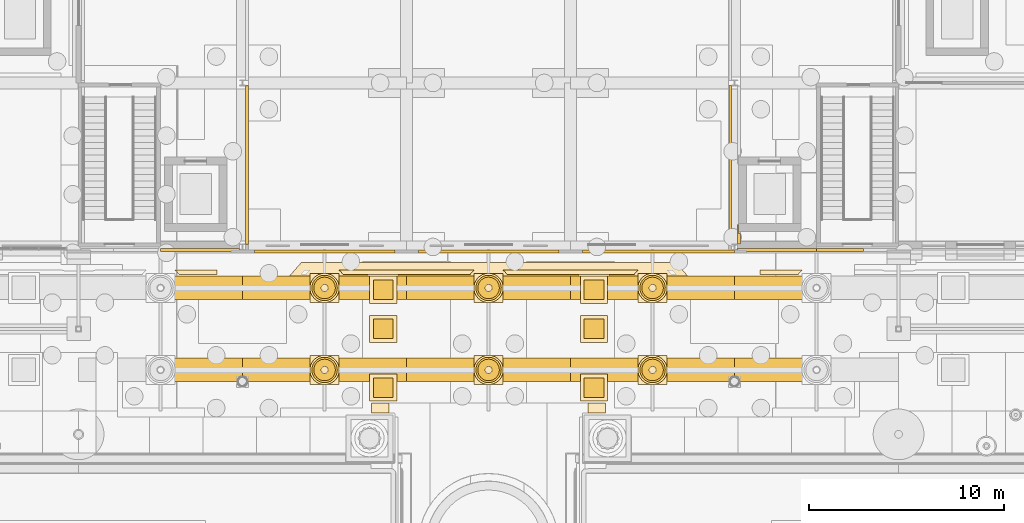
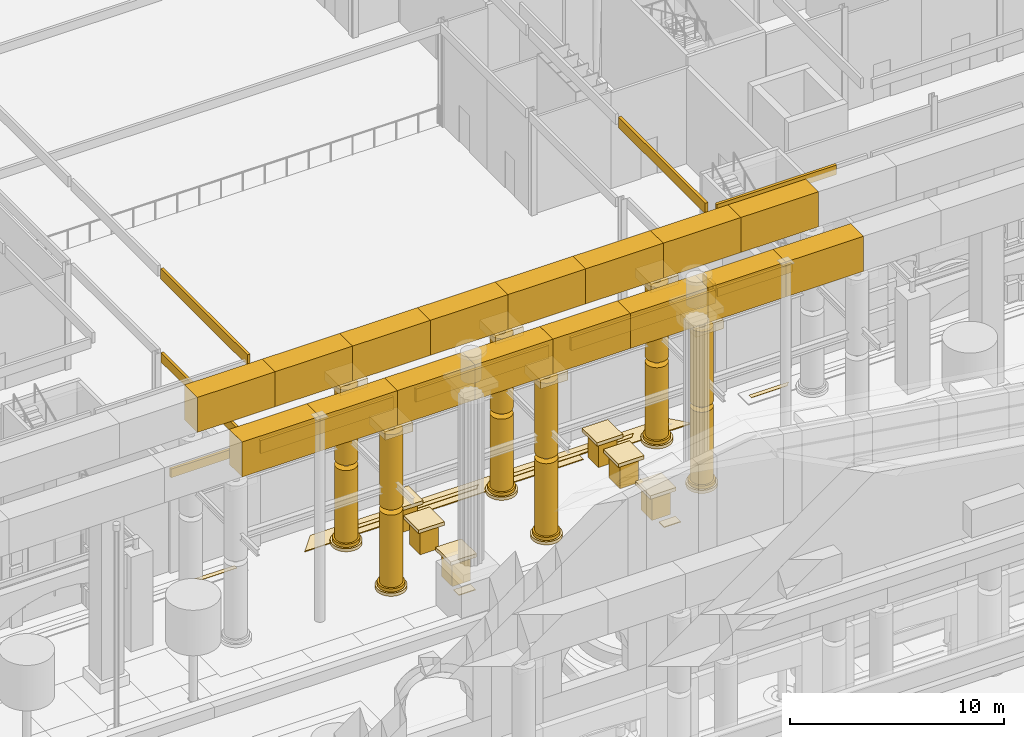
# One storey, part 130 of 222: 75 coverings.
"""IFC4 building model written with IfcOpenShell, lengths in metres."""

from ifc_helpers import new_model, si_unit, direction, frame, origin, origin_2d, place, context, subcontext, project, spatial, polyline, rectangle, hollow_circle, outline, extrude, material, layer, layer_set, material_profile, profile_set, type_object, element, save


model = new_model("IFC4")

# Units and contexts
model_context = context("Model", 3, precision=1e-05, world=origin(), true_north=direction((0.0, 1.0)))
body_context = subcontext(model_context, "Body", "Model", "MODEL_VIEW")
ifc_project = project(units=[si_unit("LENGTHUNIT", "METRE"), si_unit("AREAUNIT", "SQUARE_METRE"), si_unit("VOLUMEUNIT", "CUBIC_METRE"), si_unit("PLANEANGLEUNIT", "RADIAN"), si_unit("MASSUNIT", "GRAM", prefix="KILO")], contexts=[model_context])

# Site, building, storey
site_placement = place(None, origin())
site = spatial("IfcSite", under=ifc_project, at=site_placement, CompositionType="ELEMENT")
building_placement = place(site_placement, origin())
building = spatial("IfcBuilding", under=site, at=building_placement, Name="Sava Quay Ferry Terminal", CompositionType="ELEMENT")
storey_placement = place(building_placement, origin())
storey = spatial("IfcBuildingStorey", under=building, at=storey_placement, Name="L00", CompositionType="ELEMENT", Elevation=0.0)

# Coverings
ifc_material_1 = material(Name="Limestone Mutalj", Category="masonry")
ifc_layer_1 = layer(ifc_material_1, 0.199951171875)
ifc_layer_set_1 = layer_set([ifc_layer_1], Name="Limestone Mutalj")
covering_type_1 = type_object("IfcCoveringType", Name="Axis pedestal cap 1400", PredefinedType="MOLDING", material=ifc_layer_set_1)
for number, where, z_axis, x_axis, name in (
    (1, (57.60009765625, 18.0, 1.39990234375), (0.0, 0.0, 1.0), (1.0, 0.0, 0.0), "Axis pedestal cap"),
    (2, (68.39990234375, 18.0, 1.39990234375), (0.0, 0.0, 1.0), (1.0, 0.0, 0.0), "Axis pedestal cap"),
    (3, (57.60009765625, 21.0, 1.39990234375), (0.0, 0.0, 1.0), (1.0, 0.0, 0.0), "Axis pedestal cap"),
    (4, (68.39990234375, 21.0, 1.39990234375), (0.0, 0.0, 1.0), (1.0, 0.0, 0.0), "Axis pedestal cap"),
    (5, (57.60009765625, 23.0, 1.39990234375), (0.0, 0.0, 1.0), (1.0, 0.0, 0.0), "Axis pedestal cap"),
    (6, (68.39990234375, 23.0, 1.39990234375), (0.0, 0.0, 1.0), (1.0, 0.0, 0.0), "Axis pedestal cap"),
):
    element("IfcCovering", number, at=place(storey_placement, frame(where, z_axis=z_axis, x_axis=x_axis)), inside=storey, type_object=covering_type_1, Name=name, PredefinedType="MOLDING", context=body_context, shape_type="SweptSolid", body=[
        extrude(rectangle(XDim=1.39990234375, YDim=1.39990234375, at=origin_2d()), origin(), (0.0, 0.0, 1.0), 0.199951171875),
    ])
ifc_material_2 = material(Name="Limestone Mutalj", Category="masonry")
ifc_layer_2 = layer(ifc_material_2, 1.0)
ifc_layer_set_2 = layer_set([ifc_layer_2], Name="Limestone Mutalj")
covering_type_2 = type_object("IfcCoveringType", Name="Axis pedestal pier 1000", PredefinedType="CLADDING", material=ifc_layer_set_2)
for number, where, z_axis, x_axis, name in (
    (7, (57.60009765625, 18.0, 0.0), (0.0, 0.0, 1.0), (1.0, 0.0, 0.0), "Axis pedestal pier"),
    (8, (68.39990234375, 18.0, 0.0), (0.0, 0.0, 1.0), (1.0, 0.0, 0.0), "Axis pedestal pier"),
    (9, (57.60009765625, 21.0, 0.0), (0.0, 0.0, 1.0), (1.0, 0.0, 0.0), "Axis pedestal pier"),
    (10, (68.39990234375, 21.0, 0.0), (0.0, 0.0, 1.0), (1.0, 0.0, 0.0), "Axis pedestal pier"),
    (11, (57.60009765625, 23.0, 0.0), (0.0, 0.0, 1.0), (1.0, 0.0, 0.0), "Axis pedestal pier"),
    (12, (68.39990234375, 23.0, 0.0), (0.0, 0.0, 1.0), (1.0, 0.0, 0.0), "Axis pedestal pier"),
):
    element("IfcCovering", number, at=place(storey_placement, frame(where, z_axis=z_axis, x_axis=x_axis)), inside=storey, type_object=covering_type_2, Name=name, PredefinedType="CLADDING", context=body_context, shape_type="SweptSolid", body=[
        extrude(rectangle(XDim=1.0, YDim=1.0, at=origin_2d()), origin(), (0.0, 0.0, 1.0), 1.39990234375),
    ])
ifc_material_3 = material(Name="Basalt setts", Category="masonry")
ifc_layer_3 = layer(ifc_material_3, 0.02001953125)
ifc_layer_set_3 = layer_set([ifc_layer_3], Name="Basalt setts")
covering_type_3 = type_object("IfcCoveringType", Name="Basalt inlay line 20", PredefinedType="FLOORING", material=ifc_layer_set_3)
covering_1_placement = place(storey_placement, frame((0.0, 0.0, 0.050048828125)))
element("IfcCovering", 13, at=covering_1_placement, inside=storey, type_object=covering_type_3, Name="Basalt inlay line", PredefinedType="FLOORING", context=body_context, shape_type="SweptSolid", body=[
    extrude(outline(polyline([(47.10498046875, 23.843017578125), (47.123046875, 23.81591796875), (47.14404296875, 23.780029296875), (49.091064453125, 23.780029296875), (49.091064453125, 24.02001953125), (46.919921875, 24.02001953125), (46.966064453125, 23.988037109375), (47.01806640625, 23.943115234375), (47.06298828125, 23.89599609375), (47.10498046875, 23.843017578125)])), origin(), (0.0, 0.0, 1.0), 0.02001953125),
])
covering_2_placement = place(storey_placement, frame((0.0, 0.0, 0.050048828125)))
element("IfcCovering", 14, at=covering_2_placement, inside=storey, type_object=covering_type_3, Name="Basalt inlay line", PredefinedType="FLOORING", context=body_context, shape_type="SweptSolid", body=[
    extrude(outline(polyline([(78.912109375, 23.865966796875), (78.93701171875, 23.89599609375), (78.98193359375, 23.943115234375), (79.033935546875, 23.988037109375), (79.080078125, 24.02001953125), (76.908935546875, 24.02001953125), (76.908935546875, 23.780029296875), (78.85595703125, 23.780029296875), (78.876953125, 23.81591796875), (78.912109375, 23.865966796875)])), origin(), (0.0, 0.0, 1.0), 0.02001953125),
])
covering_3_placement = place(storey_placement, frame((0.0, 0.0, 0.050048828125)))
element("IfcCovering", 15, at=covering_3_placement, inside=storey, type_object=covering_type_3, Name="Basalt inlay line", PredefinedType="FLOORING", context=body_context, shape_type="SweptSolid", body=[
    extrude(outline(polyline([(62.136962890625, 23.89599609375), (62.156982421875, 23.91796875), (62.2041015625, 23.962890625), (62.23388671875, 23.988037109375), (62.280029296875, 24.02001953125), (55.320068359375, 24.02001953125), (55.365966796875, 23.988037109375), (55.39599609375, 23.962890625), (55.443115234375, 23.91796875), (55.462890625, 23.89599609375), (55.5048828125, 23.843017578125), (55.52294921875, 23.81591796875), (55.5439453125, 23.780029296875), (56.840087890625, 23.780029296875), (56.85302734375, 23.7880859375), (56.87109375, 23.7958984375), (56.89990234375, 23.800048828125), (58.300048828125, 23.800048828125), (58.3291015625, 23.7958984375), (58.346923828125, 23.7880859375), (58.360107421875, 23.780029296875), (62.055908203125, 23.780029296875), (62.076904296875, 23.81591796875), (62.094970703125, 23.843017578125), (62.136962890625, 23.89599609375)])), origin(), (0.0, 0.0, 1.0), 0.02001953125),
])
covering_4_placement = place(storey_placement, frame((0.0, 0.0, 0.050048828125)))
element("IfcCovering", 16, at=covering_4_placement, inside=storey, type_object=covering_type_3, Name="Basalt inlay line", PredefinedType="FLOORING", context=body_context, shape_type="SweptSolid", body=[
    extrude(outline(polyline([(70.537109375, 23.89599609375), (70.556884765625, 23.91796875), (70.60400390625, 23.962890625), (70.634033203125, 23.988037109375), (70.679931640625, 24.02001953125), (63.719970703125, 24.02001953125), (63.76611328125, 23.988037109375), (63.7958984375, 23.962890625), (63.843017578125, 23.91796875), (63.863037109375, 23.89599609375), (63.905029296875, 23.843017578125), (63.923095703125, 23.81591796875), (63.944091796875, 23.780029296875), (67.639892578125, 23.780029296875), (67.653076171875, 23.7880859375), (67.6708984375, 23.7958984375), (67.699951171875, 23.800048828125), (69.10009765625, 23.800048828125), (69.12890625, 23.7958984375), (69.14697265625, 23.7880859375), (69.159912109375, 23.780029296875), (70.4560546875, 23.780029296875), (70.47705078125, 23.81591796875), (70.4951171875, 23.843017578125), (70.537109375, 23.89599609375)])), origin(), (0.0, 0.0, 1.0), 0.02001953125),
])
ifc_material_4 = material(Name="Limestone Mutalj ashlar", Category="masonry")
ifc_material_profile_1 = material_profile(ifc_material_4, hollow_circle(Radius=0.75, WallThickness=0.199951171875, at=origin_2d()), Name="Base plinth 1500")
ifc_profile_set_1 = profile_set([ifc_material_profile_1], Name="Limestone Mutalj ashlar")
covering_type_4 = type_object("IfcCoveringType", Name="Giant-order base plinth 1500", PredefinedType="CLADDING", material=ifc_profile_set_1)
for number, where, z_axis, x_axis, name in (
    (17, (54.60009765625, 18.89990234375, 0.0), (0.0, 0.0, 1.0), (1.0, 0.0, 0.0), "Giant-order base plinth"),
    (18, (54.60009765625, 23.10009765625, 0.0), (0.0, 0.0, 1.0), (1.0, 0.0, 0.0), "Giant-order base plinth"),
    (19, (63.0, 18.89990234375, 0.0), (0.0, 0.0, 1.0), (1.0, 0.0, 0.0), "Giant-order base plinth"),
    (20, (63.0, 23.10009765625, 0.0), (0.0, 0.0, 1.0), (1.0, 0.0, 0.0), "Giant-order base plinth"),
    (21, (71.39990234375, 18.89990234375, 0.0), (0.0, 0.0, 1.0), (1.0, 0.0, 0.0), "Giant-order base plinth"),
    (22, (71.39990234375, 23.10009765625, 0.0), (0.0, 0.0, 1.0), (1.0, 0.0, 0.0), "Giant-order base plinth"),
):
    element("IfcCovering", number, at=place(storey_placement, frame(where, z_axis=z_axis, x_axis=x_axis)), inside=storey, type_object=covering_type_4, Name=name, PredefinedType="CLADDING", context=body_context, shape_type="SweptSolid", body=[
        extrude(hollow_circle(Radius=0.75, WallThickness=0.199951171875, at=origin_2d()), origin(), (0.0, 0.0, 1.0), 0.179931640625),
    ])
ifc_material_5 = material(Name="Limestone Mutalj ashlar", Category="masonry")
ifc_material_profile_2 = material_profile(ifc_material_5, hollow_circle(Radius=0.64990234375, WallThickness=0.10009765625, at=origin_2d()), Name="Base roll 1300")
ifc_profile_set_2 = profile_set([ifc_material_profile_2], Name="Limestone Mutalj ashlar")
covering_type_5 = type_object("IfcCoveringType", Name="Giant-order base roll 1300", PredefinedType="CLADDING", material=ifc_profile_set_2)
for number, where, z_axis, x_axis, name in (
    (23, (54.60009765625, 18.89990234375, 0.179931640625), (0.0, 0.0, 1.0), (1.0, 0.0, 0.0), "Giant-order base roll"),
    (24, (54.60009765625, 23.10009765625, 0.179931640625), (0.0, 0.0, 1.0), (1.0, 0.0, 0.0), "Giant-order base roll"),
    (25, (63.0, 18.89990234375, 0.179931640625), (0.0, 0.0, 1.0), (1.0, 0.0, 0.0), "Giant-order base roll"),
    (26, (63.0, 23.10009765625, 0.179931640625), (0.0, 0.0, 1.0), (1.0, 0.0, 0.0), "Giant-order base roll"),
    (27, (71.39990234375, 18.89990234375, 0.179931640625), (0.0, 0.0, 1.0), (1.0, 0.0, 0.0), "Giant-order base roll"),
    (28, (71.39990234375, 23.10009765625, 0.179931640625), (0.0, 0.0, 1.0), (1.0, 0.0, 0.0), "Giant-order base roll"),
):
    element("IfcCovering", number, at=place(storey_placement, frame(where, z_axis=z_axis, x_axis=x_axis)), inside=storey, type_object=covering_type_5, Name=name, PredefinedType="CLADDING", context=body_context, shape_type="SweptSolid", body=[
        extrude(hollow_circle(Radius=0.64990234375, WallThickness=0.10009765625, at=origin_2d()), origin(), (0.0, 0.0, 1.0), 0.18017578125),
    ])
ifc_material_6 = material(Name="Limestone Mutalj", Category="masonry")
ifc_layer_4 = layer(ifc_material_6, 0.5)
ifc_layer_set_4 = layer_set([ifc_layer_4], Name="Limestone Mutalj")
covering_type_6 = type_object("IfcCoveringType", Name="Giant-order capital 1500", PredefinedType="CLADDING", material=ifc_layer_set_4)
for number, where, z_axis, x_axis, name in (
    (29, (54.60009765625, 18.89990234375, 9.10009765625), (0.0, 0.0, 1.0), (1.0, 0.0, 0.0), "Giant-order capital"),
    (30, (54.60009765625, 23.10009765625, 9.10009765625), (0.0, 0.0, 1.0), (1.0, 0.0, 0.0), "Giant-order capital"),
    (31, (63.0, 18.89990234375, 9.10009765625), (0.0, 0.0, 1.0), (1.0, 0.0, 0.0), "Giant-order capital"),
    (32, (63.0, 23.10009765625, 9.10009765625), (0.0, 0.0, 1.0), (1.0, 0.0, 0.0), "Giant-order capital"),
    (33, (71.39990234375, 18.89990234375, 9.10009765625), (0.0, 0.0, 1.0), (1.0, 0.0, 0.0), "Giant-order capital"),
    (34, (71.39990234375, 23.10009765625, 9.10009765625), (0.0, 0.0, 1.0), (1.0, 0.0, 0.0), "Giant-order capital"),
):
    element("IfcCovering", number, at=place(storey_placement, frame(where, z_axis=z_axis, x_axis=x_axis)), inside=storey, type_object=covering_type_6, Name=name, PredefinedType="CLADDING", context=body_context, shape_type="SweptSolid", body=[
        extrude(rectangle(XDim=1.5, YDim=1.5, at=origin_2d()), origin(), (0.0, 0.0, 1.0), 0.5),
    ])
ifc_material_7 = material(Name="Limestone Mutalj ashlar", Category="masonry")
ifc_material_profile_3 = material_profile(ifc_material_7, hollow_circle(Radius=0.550048828125, WallThickness=0.37158203125, at=origin_2d()), Name="Stone shaft D1100")
ifc_profile_set_3 = profile_set([ifc_material_profile_3], Name="Limestone Mutalj ashlar")
covering_type_7 = type_object("IfcCoveringType", Name="Giant-order stone shaft D1100", PredefinedType="CLADDING", material=ifc_profile_set_3)
covering_5_placement = place(storey_placement, frame((54.60009765625, 18.89990234375, 0.0), z_axis=(0.0, 0.0, 1.0), x_axis=(1.0, 0.0, 0.0)))
element("IfcCovering", 35, at=covering_5_placement, inside=storey, type_object=covering_type_7, Name="Giant-order column shaft", PredefinedType="CLADDING", context=body_context, shape_type="SweptSolid", body=[
    extrude(hollow_circle(Radius=0.550048828125, WallThickness=0.37158203125, at=origin_2d()), origin(), (0.0, 0.0, 1.0), 4.5),
])
covering_6_placement = place(storey_placement, frame((54.60009765625, 18.89990234375, 4.800048828125), z_axis=(0.0, 0.0, 1.0), x_axis=(1.0, 0.0, 0.0)))
element("IfcCovering", 36, at=covering_6_placement, inside=storey, type_object=covering_type_7, Name="Giant-order column shaft", PredefinedType="CLADDING", context=body_context, shape_type="SweptSolid", body=[
    extrude(hollow_circle(Radius=0.550048828125, WallThickness=0.37158203125, at=origin_2d()), origin(), (0.0, 0.0, 1.0), 4.300048828125),
])
covering_7_placement = place(storey_placement, frame((54.60009765625, 23.10009765625, 0.0), z_axis=(0.0, 0.0, 1.0), x_axis=(1.0, 0.0, 0.0)))
element("IfcCovering", 37, at=covering_7_placement, inside=storey, type_object=covering_type_7, Name="Giant-order column shaft", PredefinedType="CLADDING", context=body_context, shape_type="SweptSolid", body=[
    extrude(hollow_circle(Radius=0.550048828125, WallThickness=0.37158203125, at=origin_2d()), origin(), (0.0, 0.0, 1.0), 4.5),
])
covering_8_placement = place(storey_placement, frame((54.60009765625, 23.10009765625, 4.800048828125), z_axis=(0.0, 0.0, 1.0), x_axis=(1.0, 0.0, 0.0)))
element("IfcCovering", 38, at=covering_8_placement, inside=storey, type_object=covering_type_7, Name="Giant-order column shaft", PredefinedType="CLADDING", context=body_context, shape_type="SweptSolid", body=[
    extrude(hollow_circle(Radius=0.550048828125, WallThickness=0.37158203125, at=origin_2d()), origin(), (0.0, 0.0, 1.0), 4.300048828125),
])
covering_9_placement = place(storey_placement, frame((63.0, 18.89990234375, 0.0), z_axis=(0.0, 0.0, 1.0), x_axis=(1.0, 0.0, 0.0)))
element("IfcCovering", 39, at=covering_9_placement, inside=storey, type_object=covering_type_7, Name="Giant-order column shaft", PredefinedType="CLADDING", context=body_context, shape_type="SweptSolid", body=[
    extrude(hollow_circle(Radius=0.550048828125, WallThickness=0.37158203125, at=origin_2d()), origin(), (0.0, 0.0, 1.0), 4.5),
])
covering_10_placement = place(storey_placement, frame((63.0, 18.89990234375, 4.800048828125), z_axis=(0.0, 0.0, 1.0), x_axis=(1.0, 0.0, 0.0)))
element("IfcCovering", 40, at=covering_10_placement, inside=storey, type_object=covering_type_7, Name="Giant-order column shaft", PredefinedType="CLADDING", context=body_context, shape_type="SweptSolid", body=[
    extrude(hollow_circle(Radius=0.550048828125, WallThickness=0.37158203125, at=origin_2d()), origin(), (0.0, 0.0, 1.0), 4.300048828125),
])
covering_11_placement = place(storey_placement, frame((63.0, 23.10009765625, 0.0), z_axis=(0.0, 0.0, 1.0), x_axis=(1.0, 0.0, 0.0)))
element("IfcCovering", 41, at=covering_11_placement, inside=storey, type_object=covering_type_7, Name="Giant-order column shaft", PredefinedType="CLADDING", context=body_context, shape_type="SweptSolid", body=[
    extrude(hollow_circle(Radius=0.550048828125, WallThickness=0.37158203125, at=origin_2d()), origin(), (0.0, 0.0, 1.0), 4.5),
])
covering_12_placement = place(storey_placement, frame((63.0, 23.10009765625, 4.800048828125), z_axis=(0.0, 0.0, 1.0), x_axis=(1.0, 0.0, 0.0)))
element("IfcCovering", 42, at=covering_12_placement, inside=storey, type_object=covering_type_7, Name="Giant-order column shaft", PredefinedType="CLADDING", context=body_context, shape_type="SweptSolid", body=[
    extrude(hollow_circle(Radius=0.550048828125, WallThickness=0.37158203125, at=origin_2d()), origin(), (0.0, 0.0, 1.0), 4.300048828125),
])
covering_13_placement = place(storey_placement, frame((71.39990234375, 18.89990234375, 0.0), z_axis=(0.0, 0.0, 1.0), x_axis=(1.0, 0.0, 0.0)))
element("IfcCovering", 43, at=covering_13_placement, inside=storey, type_object=covering_type_7, Name="Giant-order column shaft", PredefinedType="CLADDING", context=body_context, shape_type="SweptSolid", body=[
    extrude(hollow_circle(Radius=0.550048828125, WallThickness=0.37158203125, at=origin_2d()), origin(), (0.0, 0.0, 1.0), 4.5),
])
covering_14_placement = place(storey_placement, frame((71.39990234375, 18.89990234375, 4.800048828125), z_axis=(0.0, 0.0, 1.0), x_axis=(1.0, 0.0, 0.0)))
element("IfcCovering", 44, at=covering_14_placement, inside=storey, type_object=covering_type_7, Name="Giant-order column shaft", PredefinedType="CLADDING", context=body_context, shape_type="SweptSolid", body=[
    extrude(hollow_circle(Radius=0.550048828125, WallThickness=0.37158203125, at=origin_2d()), origin(), (0.0, 0.0, 1.0), 4.300048828125),
])
covering_15_placement = place(storey_placement, frame((71.39990234375, 23.10009765625, 0.0), z_axis=(0.0, 0.0, 1.0), x_axis=(1.0, 0.0, 0.0)))
element("IfcCovering", 45, at=covering_15_placement, inside=storey, type_object=covering_type_7, Name="Giant-order column shaft", PredefinedType="CLADDING", context=body_context, shape_type="SweptSolid", body=[
    extrude(hollow_circle(Radius=0.550048828125, WallThickness=0.37158203125, at=origin_2d()), origin(), (0.0, 0.0, 1.0), 4.5),
])
covering_16_placement = place(storey_placement, frame((71.39990234375, 23.10009765625, 4.800048828125), z_axis=(0.0, 0.0, 1.0), x_axis=(1.0, 0.0, 0.0)))
element("IfcCovering", 46, at=covering_16_placement, inside=storey, type_object=covering_type_7, Name="Giant-order column shaft", PredefinedType="CLADDING", context=body_context, shape_type="SweptSolid", body=[
    extrude(hollow_circle(Radius=0.550048828125, WallThickness=0.37158203125, at=origin_2d()), origin(), (0.0, 0.0, 1.0), 4.300048828125),
])
ifc_material_8 = material(Name="Limestone Mutalj", Category="masonry")
ifc_layer_5 = layer(ifc_material_8, 0.14990234375)
ifc_layer_set_5 = layer_set([ifc_layer_5], Name="Limestone Mutalj")
covering_type_8 = type_object("IfcCoveringType", Name="Limestone string course 150", PredefinedType="CLADDING", material=ifc_layer_set_5)
covering_17_placement = place(storey_placement, frame((0.0, 0.0, 5.25)))
element("IfcCovering", 47, at=covering_17_placement, inside=storey, type_object=covering_type_8, Name="String course W-S", PredefinedType="CLADDING", context=body_context, shape_type="SweptSolid", body=[
    extrude(outline(polyline([(51.0, 25.0400390625), (58.199951171875, 25.0400390625), (58.199951171875, 24.889892578125), (51.0, 24.889892578125), (51.0, 25.0400390625)])), origin(), (0.0, 0.0, 1.0), 0.75),
])
covering_18_placement = place(storey_placement, frame((0.0, 0.0, 5.25)))
element("IfcCovering", 48, at=covering_18_placement, inside=storey, type_object=covering_type_8, Name="String course W-S", PredefinedType="CLADDING", context=body_context, shape_type="SweptSolid", body=[
    extrude(outline(polyline([(59.39990234375, 25.0400390625), (66.60009765625, 25.0400390625), (66.60009765625, 24.889892578125), (59.39990234375, 24.889892578125), (59.39990234375, 25.0400390625)])), origin(), (0.0, 0.0, 1.0), 0.75),
])
covering_19_placement = place(storey_placement, frame((0.0, 0.0, 5.25)))
element("IfcCovering", 49, at=covering_19_placement, inside=storey, type_object=covering_type_8, Name="String course W-S", PredefinedType="CLADDING", context=body_context, shape_type="SweptSolid", body=[
    extrude(outline(polyline([(67.800048828125, 25.0400390625), (75.60009765625, 25.0400390625), (75.60009765625, 24.889892578125), (67.800048828125, 24.889892578125), (67.800048828125, 25.0400390625)])), origin(), (0.0, 0.0, 1.0), 0.75),
])
ifc_material_9 = material(Name="Limestone Mutalj", Category="masonry")
ifc_layer_6 = layer(ifc_material_9, 2.0)
ifc_layer_set_6 = layer_set([ifc_layer_6], Name="Limestone Mutalj")
covering_type_9 = type_object("IfcCoveringType", Name="Portico entablature 2000", PredefinedType="CLADDING", material=ifc_layer_set_6)
for number, where, z_axis, x_axis, name in (
    (50, (48.300048828125, 18.89990234375, 9.60009765625), (0.0, 0.0, 1.0), (1.0, 0.0, 0.0), "Portico entablature"),
    (51, (52.5, 18.89990234375, 9.60009765625), (0.0, 0.0, 1.0), (1.0, 0.0, 0.0), "Portico entablature"),
    (52, (56.699951171875, 18.89990234375, 9.60009765625), (0.0, 0.0, 1.0), (1.0, 0.0, 0.0), "Portico entablature"),
    (53, (60.89990234375, 18.89990234375, 9.60009765625), (0.0, 0.0, 1.0), (1.0, 0.0, 0.0), "Portico entablature"),
    (54, (65.10009765625, 18.89990234375, 9.60009765625), (0.0, 0.0, 1.0), (1.0, 0.0, 0.0), "Portico entablature"),
    (55, (69.300048828125, 18.89990234375, 9.60009765625), (0.0, 0.0, 1.0), (1.0, 0.0, 0.0), "Portico entablature"),
    (56, (73.5, 18.89990234375, 9.60009765625), (0.0, 0.0, 1.0), (1.0, 0.0, 0.0), "Portico entablature"),
    (57, (77.699951171875, 18.89990234375, 9.60009765625), (0.0, 0.0, 1.0), (1.0, 0.0, 0.0), "Portico entablature"),
    (58, (48.300048828125, 23.10009765625, 9.60009765625), (0.0, 0.0, 1.0), (1.0, 0.0, 0.0), "Portico entablature"),
    (59, (52.5, 23.10009765625, 9.60009765625), (0.0, 0.0, 1.0), (1.0, 0.0, 0.0), "Portico entablature"),
    (60, (56.699951171875, 23.10009765625, 9.60009765625), (0.0, 0.0, 1.0), (1.0, 0.0, 0.0), "Portico entablature"),
    (61, (60.89990234375, 23.10009765625, 9.60009765625), (0.0, 0.0, 1.0), (1.0, 0.0, 0.0), "Portico entablature"),
    (62, (65.10009765625, 23.10009765625, 9.60009765625), (0.0, 0.0, 1.0), (1.0, 0.0, 0.0), "Portico entablature"),
    (63, (69.300048828125, 23.10009765625, 9.60009765625), (0.0, 0.0, 1.0), (1.0, 0.0, 0.0), "Portico entablature"),
    (64, (73.5, 23.10009765625, 9.60009765625), (0.0, 0.0, 1.0), (1.0, 0.0, 0.0), "Portico entablature"),
    (65, (77.699951171875, 23.10009765625, 9.60009765625), (0.0, 0.0, 1.0), (1.0, 0.0, 0.0), "Portico entablature"),
):
    element("IfcCovering", number, at=place(storey_placement, frame(where, z_axis=z_axis, x_axis=x_axis)), inside=storey, type_object=covering_type_9, Name=name, PredefinedType="CLADDING", context=body_context, shape_type="SweptSolid", body=[
        extrude(rectangle(XDim=4.199951171875, YDim=1.199951171875, at=origin_2d()), origin(), (0.0, 0.0, 1.0), 2.0),
    ])
ifc_material_10 = material(Name="Limestone Mutalj", Category="masonry")
ifc_layer_7 = layer(ifc_material_10, 0.14990234375)
ifc_layer_set_7 = layer_set([ifc_layer_7], Name="Limestone Mutalj")
covering_type_10 = type_object("IfcCoveringType", Name="Slab edge fascia 150", PredefinedType="CLADDING", material=ifc_layer_set_7)
covering_20_placement = place(storey_placement, frame((0.0, 0.0, 5.47998046875)))
element("IfcCovering", 66, at=covering_20_placement, inside=storey, type_object=covering_type_10, Name="Slab edge fascia", PredefinedType="CLADDING", context=body_context, shape_type="SweptSolid", body=[
    extrude(outline(polyline([(50.548095703125, 33.449951171875), (50.548095703125, 25.35009765625), (50.697998046875, 25.35009765625), (50.697998046875, 33.449951171875), (50.548095703125, 33.449951171875)])), origin(), (0.0, 0.0, 1.0), 0.52001953125),
])
covering_21_placement = place(storey_placement, frame((0.0, 0.0, 5.510009765625)))
element("IfcCovering", 67, at=covering_21_placement, inside=storey, type_object=covering_type_10, Name="Slab edge fascia", PredefinedType="CLADDING", context=body_context, shape_type="SweptSolid", body=[
    extrude(outline(polyline([(50.25, 25.116943359375), (46.199951171875, 25.116943359375), (46.199951171875, 24.967041015625), (50.25, 24.967041015625), (50.25, 25.116943359375)])), origin(), (0.0, 0.0, 1.0), 0.489990234375),
])
covering_22_placement = place(storey_placement, frame((0.0, 0.0, 5.47998046875)))
element("IfcCovering", 68, at=covering_22_placement, inside=storey, type_object=covering_type_10, Name="Slab edge fascia", PredefinedType="CLADDING", context=body_context, shape_type="SweptSolid", body=[
    extrude(outline(polyline([(75.748046875, 26.35009765625), (75.748046875, 25.35009765625), (75.89794921875, 25.35009765625), (75.89794921875, 25.8798828125), (75.800048828125, 25.8798828125), (75.800048828125, 26.35009765625), (75.748046875, 26.35009765625)])), origin(), (0.0, 0.0, 1.0), 0.52001953125),
])
covering_23_placement = place(storey_placement, frame((0.0, 0.0, 5.510009765625)))
element("IfcCovering", 69, at=covering_23_placement, inside=storey, type_object=covering_type_10, Name="Slab edge fascia", PredefinedType="CLADDING", context=body_context, shape_type="SweptSolid", body=[
    extrude(outline(polyline([(79.800048828125, 25.116943359375), (75.75, 25.116943359375), (75.75, 24.967041015625), (79.800048828125, 24.967041015625), (79.800048828125, 25.116943359375)])), origin(), (0.0, 0.0, 1.0), 0.489990234375),
])
covering_24_placement = place(storey_placement, frame((0.0, 0.0, 10.199951171875)))
element("IfcCovering", 70, at=covering_24_placement, inside=storey, type_object=covering_type_10, Name="Slab edge fascia", PredefinedType="CLADDING", context=body_context, shape_type="SweptSolid", body=[
    extrude(outline(polyline([(50.548095703125, 33.469970703125), (50.548095703125, 25.330078125), (50.697998046875, 25.330078125), (50.697998046875, 33.469970703125), (50.548095703125, 33.469970703125)])), origin(), (0.0, 0.0, 1.0), 0.60009765625),
])
covering_25_placement = place(storey_placement, frame((0.0, 0.0, 10.199951171875)))
element("IfcCovering", 71, at=covering_25_placement, inside=storey, type_object=covering_type_10, Name="Slab edge fascia", PredefinedType="CLADDING", context=body_context, shape_type="SweptSolid", body=[
    extrude(outline(polyline([(75.302001953125, 25.330078125), (75.451904296875, 25.330078125), (75.451904296875, 33.469970703125), (75.302001953125, 33.469970703125), (75.302001953125, 25.330078125)])), origin(), (0.0, 0.0, 1.0), 0.60009765625),
])
covering_26_placement = place(storey_placement, frame((0.0, 0.0, 10.25)))
element("IfcCovering", 72, at=covering_26_placement, inside=storey, type_object=covering_type_10, Name="Slab edge fascia", PredefinedType="CLADDING", context=body_context, shape_type="SweptSolid", body=[
    extrude(outline(polyline([(82.199951171875, 25.112060546875), (75.72998046875, 25.112060546875), (75.72998046875, 24.9619140625), (82.199951171875, 24.9619140625), (82.199951171875, 25.112060546875)])), origin(), (0.0, 0.0, 1.0), 0.550048828125),
])
ifc_material_11 = material(Name="Limestone Mutalj", Category="masonry")
ifc_layer_8 = layer(ifc_material_11, 0.050048828125)
ifc_layer_set_8 = layer_set([ifc_layer_8], Name="Limestone Mutalj")
covering_type_11 = type_object("IfcCoveringType", Name="Stone paving band 50", PredefinedType="FLOORING", material=ifc_layer_set_8)
covering_27_placement = place(storey_placement, origin())
element("IfcCovering", 73, at=covering_27_placement, inside=storey, type_object=covering_type_11, Name="Stone paving band", PredefinedType="FLOORING", context=body_context, shape_type="SweptSolid", body=[
    extrude(outline(polyline([(57.0, 17.199951171875), (57.0, 16.699951171875), (57.89990234375, 16.699951171875), (57.89990234375, 17.199951171875), (57.0, 17.199951171875)])), origin(), (0.0, 0.0, 1.0), 0.050048828125),
])
covering_28_placement = place(storey_placement, origin())
element("IfcCovering", 74, at=covering_28_placement, inside=storey, type_object=covering_type_11, Name="Stone paving band", PredefinedType="FLOORING", context=body_context, shape_type="SweptSolid", body=[
    extrude(outline(polyline([(69.0, 16.699951171875), (69.0, 17.199951171875), (68.10009765625, 17.199951171875), (68.10009765625, 16.699951171875), (69.0, 16.699951171875)])), origin(), (0.0, 0.0, 1.0), 0.050048828125),
])
covering_29_placement = place(storey_placement, origin())
element("IfcCovering", 75, at=covering_29_placement, inside=storey, type_object=covering_type_11, Name="Stone paving band", PredefinedType="FLOORING", context=body_context, shape_type="SweptSolid", body=[
    extrude(outline(polyline([(71.48095703125, 23.794921875), (71.549072265625, 23.783935546875), (71.614990234375, 23.76611328125), (71.658935546875, 23.75), (71.779052734375, 23.7490234375), (71.80908203125, 23.743896484375), (71.8369140625, 23.737060546875), (71.864990234375, 23.72705078125), (71.89111328125, 23.715087890625), (71.9169921875, 23.698974609375), (71.93994140625, 23.681884765625), (71.9619140625, 23.662109375), (71.98193359375, 23.639892578125), (71.9990234375, 23.616943359375), (72.014892578125, 23.591064453125), (72.027099609375, 23.56494140625), (72.037109375, 23.537109375), (72.0439453125, 23.509033203125), (72.049072265625, 23.47900390625), (72.050048828125, 23.39990234375), (73.469970703125, 23.39990234375), (72.595947265625, 24.39990234375), (53.404052734375, 24.39990234375), (52.530029296875, 23.39990234375), (53.949951171875, 23.39990234375), (53.950927734375, 23.47900390625), (53.9560546875, 23.509033203125), (53.962890625, 23.537109375), (53.972900390625, 23.56494140625), (53.985107421875, 23.591064453125), (54.0009765625, 23.616943359375), (54.01806640625, 23.639892578125), (54.0380859375, 23.662109375), (54.06005859375, 23.681884765625), (54.0830078125, 23.698974609375), (54.10888671875, 23.715087890625), (54.135009765625, 23.72705078125), (54.1630859375, 23.737060546875), (54.19091796875, 23.743896484375), (54.220947265625, 23.7490234375), (54.341064453125, 23.75), (54.385009765625, 23.76611328125), (54.450927734375, 23.783935546875), (54.51904296875, 23.794921875), (54.587890625, 23.800048828125), (54.656005859375, 23.798095703125), (54.72412109375, 23.7890625), (54.791015625, 23.77294921875), (54.85888671875, 23.75), (54.97900390625, 23.7490234375), (55.009033203125, 23.743896484375), (55.037109375, 23.737060546875), (55.06494140625, 23.72705078125), (55.091064453125, 23.715087890625), (55.116943359375, 23.698974609375), (55.139892578125, 23.681884765625), (55.162109375, 23.662109375), (55.181884765625, 23.639892578125), (55.198974609375, 23.616943359375), (55.215087890625, 23.591064453125), (55.22705078125, 23.56494140625), (55.237060546875, 23.537109375), (55.243896484375, 23.509033203125), (55.2490234375, 23.47900390625), (55.25, 23.39990234375), (56.800048828125, 23.39990234375), (56.800048828125, 23.699951171875), (56.802001953125, 23.719970703125), (56.80810546875, 23.738037109375), (56.822998046875, 23.762939453125), (56.843994140625, 23.782958984375), (56.87109375, 23.7958984375), (56.89990234375, 23.800048828125), (58.300048828125, 23.800048828125), (58.320068359375, 23.798095703125), (58.337890625, 23.7919921875), (58.363037109375, 23.777099609375), (58.383056640625, 23.756103515625), (58.39208984375, 23.738037109375), (58.39794921875, 23.719970703125), (58.39990234375, 23.699951171875), (58.39990234375, 23.39990234375), (62.35009765625, 23.39990234375), (62.35107421875, 23.47900390625), (62.35595703125, 23.509033203125), (62.363037109375, 23.537109375), (62.373046875, 23.56494140625), (62.385009765625, 23.591064453125), (62.40087890625, 23.616943359375), (62.41796875, 23.639892578125), (62.43798828125, 23.662109375), (62.4599609375, 23.681884765625), (62.48291015625, 23.698974609375), (62.509033203125, 23.715087890625), (62.534912109375, 23.72705078125), (62.56298828125, 23.737060546875), (62.591064453125, 23.743896484375), (62.62109375, 23.7490234375), (62.740966796875, 23.75), (62.80908203125, 23.77294921875), (62.8759765625, 23.7890625), (62.944091796875, 23.798095703125), (63.011962890625, 23.800048828125), (63.0810546875, 23.794921875), (63.14892578125, 23.783935546875), (63.215087890625, 23.76611328125), (63.259033203125, 23.75), (63.37890625, 23.7490234375), (63.408935546875, 23.743896484375), (63.43701171875, 23.737060546875), (63.465087890625, 23.72705078125), (63.490966796875, 23.715087890625), (63.51708984375, 23.698974609375), (63.5400390625, 23.681884765625), (63.56201171875, 23.662109375), (63.58203125, 23.639892578125), (63.59912109375, 23.616943359375), (63.614990234375, 23.591064453125), (63.626953125, 23.56494140625), (63.636962890625, 23.537109375), (63.64404296875, 23.509033203125), (63.64892578125, 23.47900390625), (63.64990234375, 23.39990234375), (67.60009765625, 23.39990234375), (67.60009765625, 23.699951171875), (67.60205078125, 23.719970703125), (67.612060546875, 23.7470703125), (67.62890625, 23.77099609375), (67.64404296875, 23.782958984375), (67.6708984375, 23.7958984375), (67.699951171875, 23.800048828125), (69.10009765625, 23.800048828125), (69.12890625, 23.7958984375), (69.14697265625, 23.7880859375), (69.1630859375, 23.777099609375), (69.18310546875, 23.756103515625), (69.19189453125, 23.738037109375), (69.197998046875, 23.719970703125), (69.199951171875, 23.699951171875), (69.199951171875, 23.39990234375), (70.75, 23.39990234375), (70.7509765625, 23.47900390625), (70.756103515625, 23.509033203125), (70.762939453125, 23.537109375), (70.77294921875, 23.56494140625), (70.784912109375, 23.591064453125), (70.801025390625, 23.616943359375), (70.818115234375, 23.639892578125), (70.837890625, 23.662109375), (70.860107421875, 23.681884765625), (70.883056640625, 23.698974609375), (70.908935546875, 23.715087890625), (70.93505859375, 23.72705078125), (70.962890625, 23.737060546875), (70.990966796875, 23.743896484375), (71.02099609375, 23.7490234375), (71.14111328125, 23.75), (71.18505859375, 23.76611328125), (71.2509765625, 23.783935546875), (71.343994140625, 23.798095703125), (71.412109375, 23.800048828125), (71.48095703125, 23.794921875)])), origin(), (0.0, 0.0, 1.0), 0.050048828125),
])

save(model, "model.ifc")
